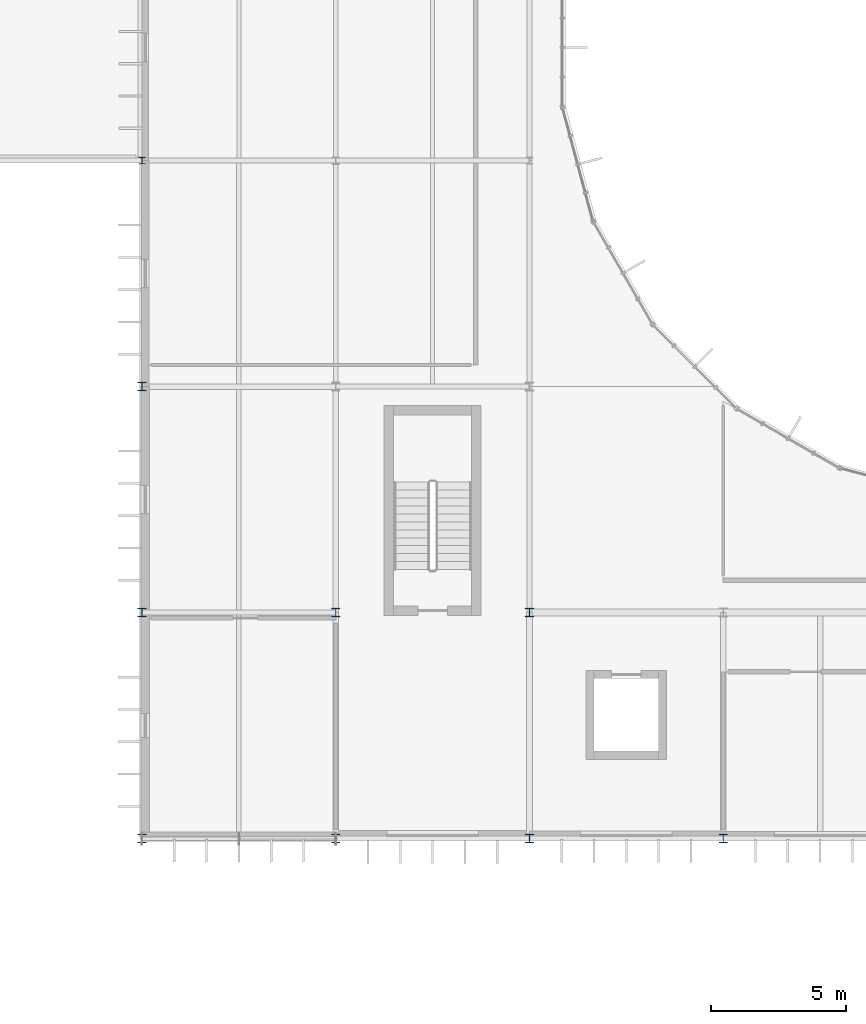
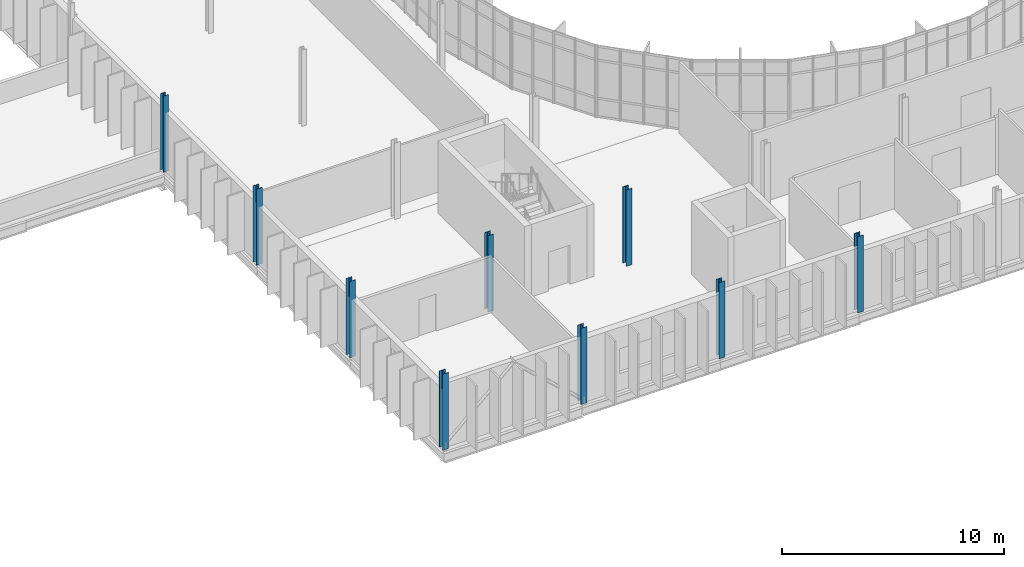
# One storey, part 3 of 61: 9 columns.
"""IFC4 building model written with IfcOpenShell, lengths in metres."""

from ifc_helpers import new_model, si_unit, direction, frame, origin, origin_2d, place, context, subcontext, project, spatial, i_section, extrude, material, material_profile, profile_set, type_object, element, save


model = new_model("IFC4")

# Units and contexts
model_context = context("Model", 3, precision=1e-05, world=origin(), true_north=direction((0.0, 1.0)))
body_context = subcontext(model_context, "Body", "Model", "MODEL_VIEW")
ifc_project = project(units=[si_unit("LENGTHUNIT", "METRE"), si_unit("AREAUNIT", "SQUARE_METRE"), si_unit("VOLUMEUNIT", "CUBIC_METRE"), si_unit("PLANEANGLEUNIT", "RADIAN"), si_unit("MASSUNIT", "GRAM", prefix="KILO")], contexts=[model_context])

# Site, building, storey
site_placement = place(None, origin())
site = spatial("IfcSite", under=ifc_project, at=site_placement, CompositionType="ELEMENT")
building_placement = place(site_placement, origin())
building = spatial("IfcBuilding", under=site, at=building_placement, Name="Qelthora Terrace Specialist Clinic", CompositionType="ELEMENT")
storey_placement = place(building_placement, frame((0.0, 0.0, 13.199951171875)))
storey = spatial("IfcBuildingStorey", under=building, at=storey_placement, Name="L03", CompositionType="ELEMENT", Elevation=13.199951171875)

# Columns
ifc_material = material(Name="Steel S355", Category="steel")
ifc_material_profile_1 = material_profile(ifc_material, i_section(OverallWidth=0.25390625, OverallDepth=0.2529296875, WebThickness=0.008544921875, FlangeThickness=0.01416015625, FilletRadius=0.012939453125, at=origin_2d()), Name="W250X73")
ifc_profile_set_1 = profile_set([ifc_material_profile_1], Name="Steel S355")
column_type_1 = type_object("IfcColumnType", Name="COL-W250X73", PredefinedType="COLUMN", material=ifc_profile_set_1)
column_placement = place(storey_placement, frame((93.60009765625, 58.800048828125, 0.0), z_axis=(0.0, 0.0, 1.0), x_axis=(1.0, 0.0, 0.0)))
element("IfcColumn", 1, at=column_placement, inside=storey, type_object=column_type_1, Name="Column L03-154", PredefinedType="COLUMN", context=body_context, shape_type="SweptSolid", body=[
    extrude(i_section(OverallWidth=0.25390625, OverallDepth=0.2529296875, WebThickness=0.008544921875, FlangeThickness=0.01416015625, FilletRadius=0.012939453125, at=origin_2d()), origin(), (0.0, 0.0, 1.0), 4.199951171875),
])
ifc_material_profile_2 = material_profile(ifc_material, i_section(OverallWidth=0.305908203125, OverallDepth=0.31103515625, WebThickness=0.010986328125, FlangeThickness=0.01708984375, FilletRadius=0.014892578125, at=origin_2d()), Name="W310X107")
ifc_profile_set_2 = profile_set([ifc_material_profile_2], Name="Steel S355")
column_type_2 = type_object("IfcColumnType", Name="COL-W310X107", PredefinedType="COLUMN", material=ifc_profile_set_2)
for number, where, z_axis, x_axis, name in (
    (2, (93.60009765625, 33.60009765625, 0.0), (0.0, 0.0, 1.0), (1.0, 0.0, 0.0), "Column L03-151"),
    (3, (100.800048828125, 42.0, 0.0), (0.0, 0.0, 1.0), (1.0, 0.0, 0.0), "Column L03-166"),
):
    element("IfcColumn", number, at=place(storey_placement, frame(where, z_axis=z_axis, x_axis=x_axis)), inside=storey, type_object=column_type_2, Name=name, PredefinedType="COLUMN", context=body_context, shape_type="SweptSolid", body=[
        extrude(i_section(OverallWidth=0.305908203125, OverallDepth=0.31103515625, WebThickness=0.010986328125, FlangeThickness=0.01708984375, FilletRadius=0.014892578125, at=origin_2d()), origin(), (0.0, 0.0, 1.0), 4.199951171875),
    ])
ifc_material_profile_3 = material_profile(ifc_material, i_section(OverallWidth=0.306884765625, OverallDepth=0.31396484375, WebThickness=0.011962890625, FlangeThickness=0.018798828125, FilletRadius=0.01611328125, at=origin_2d()), Name="W310X118")
ifc_profile_set_3 = profile_set([ifc_material_profile_3], Name="Steel S355")
column_type_3 = type_object("IfcColumnType", Name="COL-W310X118", PredefinedType="COLUMN", material=ifc_profile_set_3)
for number, where, z_axis, x_axis, name in (
    (4, (93.60009765625, 50.39990234375, 0.0), (0.0, 0.0, 1.0), (1.0, 0.0, 0.0), "Column L03-153"),
    (5, (100.800048828125, 33.60009765625, 0.0), (0.0, 0.0, 1.0), (1.0, 0.0, 0.0), "Column L03-165"),
    (6, (108.0, 42.0, 0.0), (0.0, 0.0, 1.0), (1.0, 0.0, 0.0), "Column L03-180"),
    (7, (115.199951171875, 33.60009765625, 0.0), (0.0, 0.0, 1.0), (1.0, 0.0, 0.0), "Column L03-192"),
):
    element("IfcColumn", number, at=place(storey_placement, frame(where, z_axis=z_axis, x_axis=x_axis)), inside=storey, type_object=column_type_3, Name=name, PredefinedType="COLUMN", context=body_context, shape_type="SweptSolid", body=[
        extrude(i_section(OverallWidth=0.306884765625, OverallDepth=0.31396484375, WebThickness=0.011962890625, FlangeThickness=0.018798828125, FilletRadius=0.01611328125, at=origin_2d()), origin(), (0.0, 0.0, 1.0), 4.199951171875),
    ])
ifc_material_profile_4 = material_profile(ifc_material, i_section(OverallWidth=0.304931640625, OverallDepth=0.30810546875, WebThickness=0.010009765625, FlangeThickness=0.015380859375, FilletRadius=0.014892578125, at=origin_2d()), Name="W310X97")
ifc_profile_set_4 = profile_set([ifc_material_profile_4], Name="Steel S355")
column_type_4 = type_object("IfcColumnType", Name="COL-W310X97", PredefinedType="COLUMN", material=ifc_profile_set_4)
for number, where, z_axis, x_axis, name in (
    (8, (93.60009765625, 42.0, 0.0), (0.0, 0.0, 1.0), (1.0, 0.0, 0.0), "Column L03-152"),
    (9, (108.0, 33.60009765625, 0.0), (0.0, 0.0, 1.0), (1.0, 0.0, 0.0), "Column L03-179"),
):
    element("IfcColumn", number, at=place(storey_placement, frame(where, z_axis=z_axis, x_axis=x_axis)), inside=storey, type_object=column_type_4, Name=name, PredefinedType="COLUMN", context=body_context, shape_type="SweptSolid", body=[
        extrude(i_section(OverallWidth=0.304931640625, OverallDepth=0.30810546875, WebThickness=0.010009765625, FlangeThickness=0.015380859375, FilletRadius=0.014892578125, at=origin_2d()), origin(), (0.0, 0.0, 1.0), 4.199951171875),
    ])

save(model, "model.ifc")
